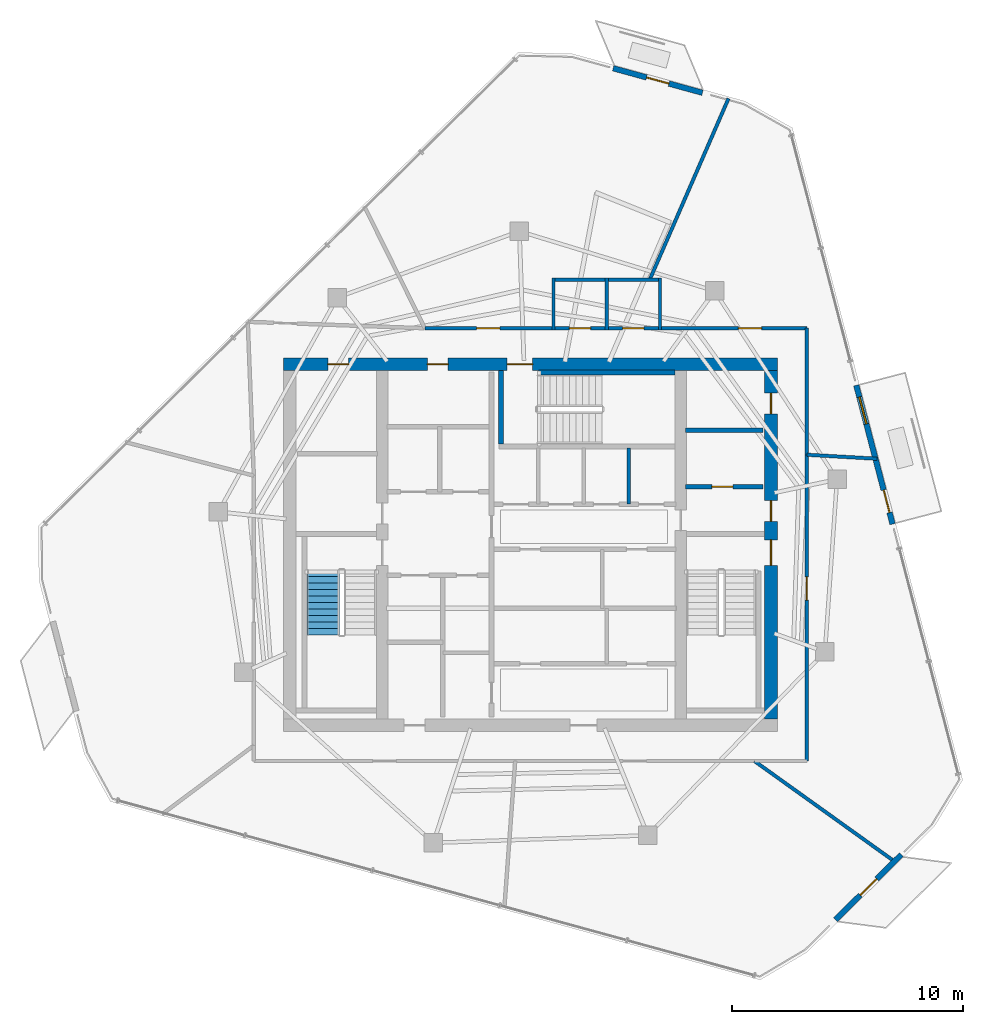
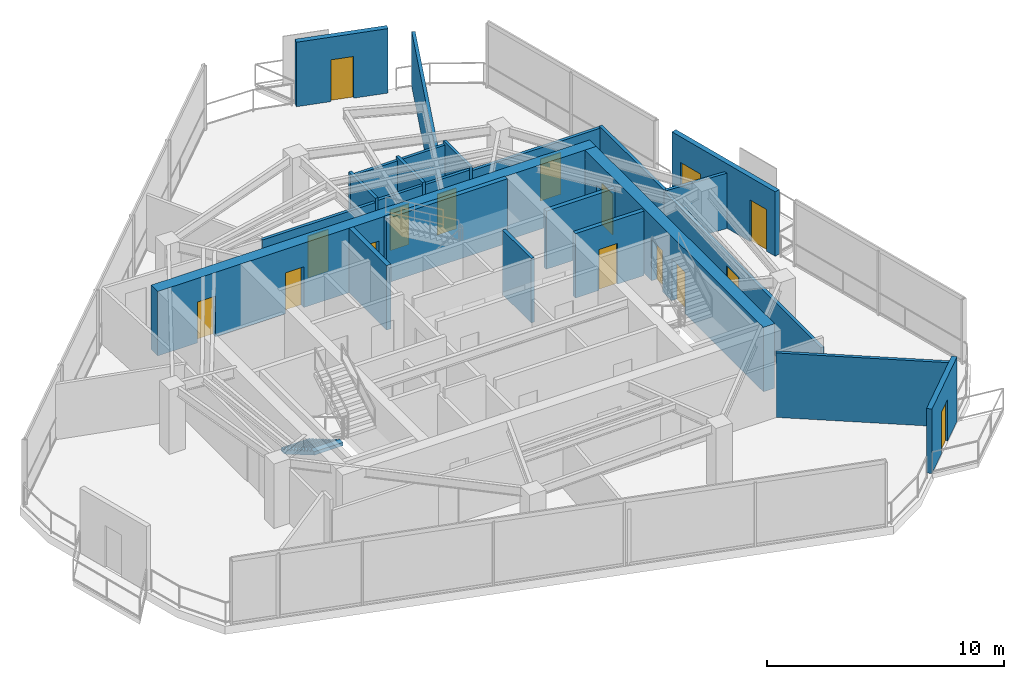
# One storey, part 16 of 19: 24 walls, 15 doors, 1 stair flight, 1 window, 16 openings, 1 element without a shape of its own.
"""IFC4 building model written with IfcOpenShell, lengths in metres."""

from ifc_helpers import new_model, si_unit, direction, frame, frame_2d, origin, place, context, subcontext, project, spatial, polyline, rectangle, outline, extrude, material, layer, layer_set, type_object, element, fill, aggregate, save


model = new_model("IFC4")

# Units and contexts
model_context = context("Model", 3, precision=1e-05, world=origin(), true_north=direction((0.0, 1.0)))
body_context = subcontext(model_context, "Body", "Model", "MODEL_VIEW")
ifc_project = project(units=[si_unit("LENGTHUNIT", "METRE"), si_unit("AREAUNIT", "SQUARE_METRE"), si_unit("VOLUMEUNIT", "CUBIC_METRE"), si_unit("PLANEANGLEUNIT", "RADIAN"), si_unit("MASSUNIT", "GRAM", prefix="KILO")], contexts=[model_context])

# Site, building, storey
site_placement = place(None, origin())
site = spatial("IfcSite", under=ifc_project, at=site_placement, CompositionType="ELEMENT")
building_placement = place(site_placement, origin())
building = spatial("IfcBuilding", under=site, at=building_placement, Name="Qarnah Convention Tower", CompositionType="ELEMENT")
storey_placement = place(building_placement, frame((0.0, 0.0, 235.5)))
storey = spatial("IfcBuildingStorey", under=building, at=storey_placement, Name="L63", CompositionType="ELEMENT", Elevation=235.5)

# Wall, openings, doors
ifc_material_1 = material(Name="Concrete C60/75", Category="concrete")
ifc_layer_1 = layer(ifc_material_1, 0.550048828125)
ifc_layer_set_1 = layer_set([ifc_layer_1], Name="Concrete C60/75")
wall_type_1 = type_object("IfcWallType", Name="WL-CORE-550", PredefinedType="SHEAR", material=ifc_layer_set_1)
wall_1_placement = place(storey_placement, frame((26.52490234375, 34.199951171875, 0.0), z_axis=(0.0, 0.0, 1.0), x_axis=(1.0, 0.0, 0.0)))
wall_1 = element("IfcWall", 1, at=wall_1_placement, inside=storey, type_object=wall_type_1, Name="L63 core north shear wall", PredefinedType="SHEAR", context=body_context, shape_type="SweptSolid", body=[
    extrude(rectangle(XDim=21.35009765625, YDim=0.550048828125, at=frame_2d((10.675048828125, 0.0))), origin(), (0.0, 0.0, 1.0), 3.320068359375),
])
opening_1_placement = place(wall_1_placement, frame((9.675048828125, 0.0, 0.0)))
opening_1 = element("IfcOpeningElement", 2, at=opening_1_placement, cuts=wall_1, Name="Opening D-6303", PredefinedType="OPENING", context=body_context, shape_type="SweptSolid", body=[
    extrude(rectangle(XDim=1.10009765625, YDim=2.14990234375, at=frame_2d((0.550048828125, 1.074951171875))), frame((0.0, 0.284912109375, 0.0), z_axis=(0.0, -1.0, 0.0), x_axis=(1.0, 0.0, 0.0)), (0.0, 0.0, 1.0), 0.570068359375),
])
opening_2_placement = place(wall_1_placement, frame((1.925048828125, 0.0, 0.0)))
opening_2 = element("IfcOpeningElement", 3, at=opening_2_placement, cuts=wall_1, Name="Opening D-6309", PredefinedType="OPENING", context=body_context, shape_type="SweptSolid", body=[
    extrude(rectangle(XDim=0.89990234375, YDim=2.10009765625, at=frame_2d((0.449951171875, 1.050048828125))), frame((0.0, 0.284912109375, 0.0), z_axis=(0.0, -1.0, 0.0), x_axis=(1.0, 0.0, 0.0)), (0.0, 0.0, 1.0), 0.570068359375),
])
opening_3_placement = place(wall_1_placement, frame((6.22509765625, 0.0, 0.0)))
opening_3 = element("IfcOpeningElement", 4, at=opening_3_placement, cuts=wall_1, Name="Opening D-6310", PredefinedType="OPENING", context=body_context, shape_type="SweptSolid", body=[
    extrude(rectangle(XDim=0.89990234375, YDim=2.10009765625, at=frame_2d((0.449951171875, 1.050048828125))), frame((0.0, 0.284912109375, 0.0), z_axis=(0.0, -1.0, 0.0), x_axis=(1.0, 0.0, 0.0)), (0.0, 0.0, 1.0), 0.570068359375),
])
ifc_material_2 = material(Name="Structural steel S355JR", Category="steel")
door_type_1 = type_object("IfcDoorType", Name="DT-RISER-900", OperationType="NOTDEFINED", PredefinedType="DOOR", material=ifc_material_2)
door_1_placement = place(opening_2_placement, origin())
door_1 = element("IfcDoor", 5, at=door_1_placement, inside=storey, type_object=door_type_1, Name="Door D-6309", OperationType="SINGLE_SWING_RIGHT", OverallHeight=2.10009765625, OverallWidth=0.89990234375, PredefinedType="DOOR", context=body_context, shape_type="SweptSolid", body=[
    extrude(rectangle(XDim=0.89990234375, YDim=2.10009765625, at=frame_2d((0.449951171875, 1.050048828125))), frame((0.0, 0.02490234375, 0.0), z_axis=(0.0, -1.0, 0.0), x_axis=(1.0, 0.0, 0.0)), (0.0, 0.0, 1.0), 0.050048828125),
])
fill(opening_2, door_1)
door_2_placement = place(opening_3_placement, origin())
door_2 = element("IfcDoor", 6, at=door_2_placement, inside=storey, type_object=door_type_1, Name="Door D-6310", OperationType="SINGLE_SWING_LEFT", OverallHeight=2.10009765625, OverallWidth=0.89990234375, PredefinedType="DOOR", context=body_context, shape_type="SweptSolid", body=[
    extrude(rectangle(XDim=0.89990234375, YDim=2.10009765625, at=frame_2d((0.449951171875, 1.050048828125))), frame((0.0, 0.02490234375, 0.0), z_axis=(0.0, -1.0, 0.0), x_axis=(1.0, 0.0, 0.0)), (0.0, 0.0, 1.0), 0.050048828125),
])
fill(opening_3, door_2)
door_type_2 = type_object("IfcDoorType", Name="DT-STAIR-1100", OperationType="NOTDEFINED", PredefinedType="DOOR", material=ifc_material_2)
door_3_placement = place(opening_1_placement, origin())
door_3 = element("IfcDoor", 7, at=door_3_placement, inside=storey, type_object=door_type_2, Name="Door D-6303", OperationType="SINGLE_SWING_RIGHT", OverallHeight=2.14990234375, OverallWidth=1.10009765625, PredefinedType="DOOR", context=body_context, shape_type="SweptSolid", body=[
    extrude(rectangle(XDim=1.10009765625, YDim=2.14990234375, at=frame_2d((0.550048828125, 1.074951171875))), frame((0.0, 0.02490234375, 0.0), z_axis=(0.0, -1.0, 0.0), x_axis=(1.0, 0.0, 0.0)), (0.0, 0.0, 1.0), 0.050048828125),
])
fill(opening_1, door_3)

wall_2_placement = place(storey_placement, frame((47.60009765625, 18.875, 0.0), z_axis=(0.0, 0.0, 1.0), x_axis=(0.0, 1.0, 0.0)))
wall_2 = element("IfcWall", 8, at=wall_2_placement, inside=storey, type_object=wall_type_1, Name="L63 core east shear wall", PredefinedType="SHEAR", context=body_context, shape_type="SweptSolid", body=[
    extrude(rectangle(XDim=15.050048828125, YDim=0.550048828125, at=frame_2d((7.52490234375, 0.0))), origin(), (0.0, 0.0, 1.0), 3.320068359375),
])
opening_4_placement = place(wall_2_placement, frame((6.625, 0.0, 0.0)))
opening_4 = element("IfcOpeningElement", 9, at=opening_4_placement, cuts=wall_2, Name="Opening D-6302", PredefinedType="OPENING", context=body_context, shape_type="SweptSolid", body=[
    extrude(rectangle(XDim=1.10009765625, YDim=2.14990234375, at=frame_2d((0.550048828125, 1.074951171875))), frame((0.0, 0.284912109375, 0.0), z_axis=(0.0, -1.0, 0.0), x_axis=(1.0, 0.0, 0.0)), (0.0, 0.0, 1.0), 0.570068359375),
])
opening_5_placement = place(wall_2_placement, frame((8.52490234375, 0.0, 0.0)))
opening_5 = element("IfcOpeningElement", 10, at=opening_5_placement, cuts=wall_2, Name="Opening D-6306", PredefinedType="OPENING", context=body_context, shape_type="SweptSolid", body=[
    extrude(rectangle(XDim=0.89990234375, YDim=2.10009765625, at=frame_2d((0.449951171875, 1.050048828125))), frame((0.0, 0.284912109375, 0.0), z_axis=(0.0, -1.0, 0.0), x_axis=(1.0, 0.0, 0.0)), (0.0, 0.0, 1.0), 0.570068359375),
])
opening_6_placement = place(wall_2_placement, frame((13.175048828125, 0.0, 0.0)))
opening_6 = element("IfcOpeningElement", 11, at=opening_6_placement, cuts=wall_2, Name="Opening D-6312", PredefinedType="OPENING", context=body_context, shape_type="SweptSolid", body=[
    extrude(rectangle(XDim=0.89990234375, YDim=2.10009765625, at=frame_2d((0.449951171875, 1.050048828125))), frame((0.0, 0.284912109375, 0.0), z_axis=(0.0, -1.0, 0.0), x_axis=(1.0, 0.0, 0.0)), (0.0, 0.0, 1.0), 0.570068359375),
])
door_4_placement = place(opening_5_placement, origin())
door_4 = element("IfcDoor", 12, at=door_4_placement, inside=storey, type_object=door_type_1, Name="Door D-6306", OperationType="SINGLE_SWING_LEFT", OverallHeight=2.10009765625, OverallWidth=0.89990234375, PredefinedType="DOOR", context=body_context, shape_type="SweptSolid", body=[
    extrude(rectangle(XDim=0.89990234375, YDim=2.10009765625, at=frame_2d((0.449951171875, 1.050048828125))), frame((0.0, 0.02490234375, 0.0), z_axis=(0.0, -1.0, 0.0), x_axis=(1.0, 0.0, 0.0)), (0.0, 0.0, 1.0), 0.050048828125),
])
fill(opening_5, door_4)
door_5_placement = place(opening_6_placement, origin())
door_5 = element("IfcDoor", 13, at=door_5_placement, inside=storey, type_object=door_type_1, Name="Door D-6312", OperationType="SINGLE_SWING_LEFT", OverallHeight=2.10009765625, OverallWidth=0.89990234375, PredefinedType="DOOR", context=body_context, shape_type="SweptSolid", body=[
    extrude(rectangle(XDim=0.89990234375, YDim=2.10009765625, at=frame_2d((0.449951171875, 1.050048828125))), frame((0.0, 0.02490234375, 0.0), z_axis=(0.0, -1.0, 0.0), x_axis=(1.0, 0.0, 0.0)), (0.0, 0.0, 1.0), 0.050048828125),
])
fill(opening_6, door_5)
door_6_placement = place(opening_4_placement, origin())
door_6 = element("IfcDoor", 14, at=door_6_placement, inside=storey, type_object=door_type_2, Name="Door D-6302", OperationType="SINGLE_SWING_LEFT", OverallHeight=2.14990234375, OverallWidth=1.10009765625, PredefinedType="DOOR", context=body_context, shape_type="SweptSolid", body=[
    extrude(rectangle(XDim=1.10009765625, YDim=2.14990234375, at=frame_2d((0.550048828125, 1.074951171875))), frame((0.0, 0.02490234375, 0.0), z_axis=(0.0, -1.0, 0.0), x_axis=(1.0, 0.0, 0.0)), (0.0, 0.0, 1.0), 0.050048828125),
])
fill(opening_4, door_6)

# Wall, opening, door
ifc_material_3 = material(Name="Concrete C45/55", Category="concrete")
ifc_layer_2 = layer(ifc_material_3, 0.199951171875)
ifc_layer_set_2 = layer_set([ifc_layer_2], Name="Concrete C45/55")
wall_type_2 = type_object("IfcWallType", Name="WL-CORE-PART-200", PredefinedType="SOLIDWALL", material=ifc_layer_set_2)
wall_3_placement = place(storey_placement, frame((43.89990234375, 28.89990234375, 0.0), z_axis=(0.0, 0.0, 1.0), x_axis=(1.0, 0.0, 0.0)))
wall_3 = element("IfcWall", 15, at=wall_3_placement, inside=storey, type_object=wall_type_2, Name="L63 interior wall IW-L63-EVSTN", PredefinedType="SOLIDWALL", context=body_context, shape_type="SweptSolid", body=[
    extrude(rectangle(XDim=3.35009765625, YDim=0.199951171875, at=frame_2d((1.675048828125, 0.0))), origin(), (0.0, 0.0, 1.0), 3.320068359375),
])
opening_7_placement = place(wall_3_placement, frame((1.14990234375, 0.0, 0.0)))
opening_7 = element("IfcOpeningElement", 16, at=opening_7_placement, cuts=wall_3, Name="Opening D-6311", PredefinedType="OPENING", context=body_context, shape_type="SweptSolid", body=[
    extrude(rectangle(XDim=0.89990234375, YDim=2.10009765625, at=frame_2d((0.449951171875, 1.050048828125))), frame((0.0, 0.10986328125, 0.0), z_axis=(0.0, -1.0, 0.0), x_axis=(1.0, 0.0, 0.0)), (0.0, 0.0, 1.0), 0.219970703125),
])
door_7_placement = place(opening_7_placement, origin())
door_7 = element("IfcDoor", 17, at=door_7_placement, inside=storey, type_object=door_type_1, Name="Door D-6311", OperationType="SINGLE_SWING_RIGHT", OverallHeight=2.10009765625, OverallWidth=0.89990234375, PredefinedType="DOOR", context=body_context, shape_type="SweptSolid", body=[
    extrude(rectangle(XDim=0.89990234375, YDim=2.10009765625, at=frame_2d((0.449951171875, 1.050048828125))), frame((0.0, 0.02490234375, 0.0), z_axis=(0.0, -1.0, 0.0), x_axis=(1.0, 0.0, 0.0)), (0.0, 0.0, 1.0), 0.050048828125),
])
fill(opening_7, door_7)

# Walls
wall_4_placement = place(storey_placement, frame((43.89990234375, 31.35009765625, 0.0), z_axis=(0.0, 0.0, 1.0), x_axis=(1.0, 0.0, 0.0)))
element("IfcWall", 18, at=wall_4_placement, inside=storey, type_object=wall_type_2, Name="L63 interior wall IW-L63-WTRN", PredefinedType="SOLIDWALL", context=body_context, shape_type="SweptSolid", body=[
    extrude(rectangle(XDim=3.35009765625, YDim=0.199951171875, at=frame_2d((1.675048828125, 0.0))), origin(), (0.0, 0.0, 1.0), 2.992919921875),
])
ifc_layer_3 = layer(ifc_material_1, 0.219970703125)
ifc_layer_set_3 = layer_set([ifc_layer_3], Name="Concrete C60/75")
wall_type_3 = type_object("IfcWallType", Name="WL-CORE-STAIR-220", PredefinedType="SHEAR", material=ifc_layer_set_3)
wall_5_placement = place(storey_placement, frame((35.93994140625, 30.75, 0.0), z_axis=(0.0, 0.0, 1.0), x_axis=(0.0, 1.0, 0.0)))
element("IfcWall", 19, at=wall_5_placement, inside=storey, type_object=wall_type_3, Name="L63 stair shaft shear wall SW-L63-ST3W", PredefinedType="SHEAR", context=body_context, shape_type="SweptSolid", body=[
    extrude(rectangle(XDim=3.175048828125, YDim=0.219970703125, at=frame_2d((1.58740234375, 0.0))), origin(), (0.0, 0.0, 1.0), 3.320068359375),
])
wall_6_placement = place(storey_placement, frame((37.550048828125, 33.840087890625, 0.0), z_axis=(0.0, 0.0, 1.0), x_axis=(1.0, 0.0, 0.0)))
element("IfcWall", 20, at=wall_6_placement, inside=storey, type_object=wall_type_3, Name="L63 stair shaft shear wall SW-L63-ST3N", PredefinedType="SHEAR", context=body_context, shape_type="SweptSolid", body=[
    extrude(rectangle(XDim=5.89990234375, YDim=0.219970703125, at=frame_2d((2.949951171875, 0.0))), origin(), (0.0, 0.0, 1.0), 3.320068359375),
])

# Wall, opening, door
ifc_material_4 = material(Name="Precast concrete C45/55", Category="concrete")
ifc_layer_4 = layer(ifc_material_4, 0.239990234375)
ifc_layer_set_4 = layer_set([ifc_layer_4], Name="Precast concrete C45/55")
wall_type_4 = type_object("IfcWallType", Name="WL-EXT-BAL-240", PredefinedType="SOLIDWALL", material=ifc_layer_set_4)
wall_7_placement = place(storey_placement, frame((40.780029296875, 46.985107421875, 0.0), z_axis=(0.0, 0.0, 1.0), x_axis=(0.964260755551, -0.264955081673, 0.0)))
wall_7 = element("IfcWall", 21, at=wall_7_placement, inside=storey, type_object=wall_type_4, Name="L63 loggia threshold wall BAL-L63-C1", PredefinedType="SOLIDWALL", context=body_context, shape_type="SweptSolid", body=[
    extrude(rectangle(XDim=4.0009765625, YDim=0.239990234375, at=frame_2d((2.00048828125, 0.0))), origin(), (0.0, 0.0, 1.0), 3.320068359375),
])
opening_8_placement = place(wall_7_placement, frame((1.5, 0.0, 0.0)))
opening_8 = element("IfcOpeningElement", 22, at=opening_8_placement, cuts=wall_7, Name="Opening BD-6301", PredefinedType="OPENING", context=body_context, shape_type="SweptSolid", body=[
    extrude(rectangle(XDim=1.0, YDim=2.14990234375, at=frame_2d((0.5, 1.074951171875))), frame((0.0, 0.1298828125, 0.0), z_axis=(0.0, -1.0, 0.0), x_axis=(1.0, 0.0, 0.0)), (0.0, 0.0, 1.0), 0.260009765625),
])
ifc_material_5 = material(Name="Black anodised aluminium", Category="aluminium")
door_type_3 = type_object("IfcDoorType", Name="DT-BAL-1000", OperationType="NOTDEFINED", PredefinedType="DOOR", material=ifc_material_5)
door_8_placement = place(opening_8_placement, origin())
door_8 = element("IfcDoor", 23, at=door_8_placement, inside=storey, type_object=door_type_3, Name="L63 balcony terrace door BAL-L63-C1", OperationType="SINGLE_SWING_LEFT", OverallHeight=2.14990234375, OverallWidth=1.0, PredefinedType="DOOR", context=body_context, shape_type="SweptSolid", body=[
    extrude(rectangle(XDim=1.0, YDim=2.14990234375, at=frame_2d((0.5, 1.074951171875))), frame((0.0, 0.02490234375, 0.0), z_axis=(0.0, -1.0, 0.0), x_axis=(1.0, 0.0, 0.0)), (0.0, 0.0, 1.0), 0.050048828125),
])
fill(opening_8, door_8)

wall_8_placement = place(storey_placement, frame((53.237060546875, 13.007080078125, 0.0), z_axis=(0.0, 0.0, 1.0), x_axis=(-0.711607796513, -0.702576930977, 0.0)))
wall_8 = element("IfcWall", 24, at=wall_8_placement, inside=storey, type_object=wall_type_4, Name="L63 loggia threshold wall BAL-L63-C3", PredefinedType="SOLIDWALL", context=body_context, shape_type="SweptSolid", body=[
    extrude(rectangle(XDim=4.0009765625, YDim=0.239990234375, at=frame_2d((2.00048828125, 0.0))), origin(), (0.0, 0.0, 1.0), 3.320068359375),
])
opening_9_placement = place(wall_8_placement, frame((1.5, 0.0, 0.0)))
opening_9 = element("IfcOpeningElement", 25, at=opening_9_placement, cuts=wall_8, Name="Opening BD-6303", PredefinedType="OPENING", context=body_context, shape_type="SweptSolid", body=[
    extrude(rectangle(XDim=1.0, YDim=2.14990234375, at=frame_2d((0.5, 1.074951171875))), frame((0.0, 0.1298828125, 0.0), z_axis=(0.0, -1.0, 0.0), x_axis=(1.0, 0.0, 0.0)), (0.0, 0.0, 1.0), 0.260009765625),
])
door_9_placement = place(opening_9_placement, origin())
door_9 = element("IfcDoor", 26, at=door_9_placement, inside=storey, type_object=door_type_3, Name="L63 balcony terrace door BAL-L63-C3", OperationType="SINGLE_SWING_LEFT", OverallHeight=2.14990234375, OverallWidth=1.0, PredefinedType="DOOR", context=body_context, shape_type="SweptSolid", body=[
    extrude(rectangle(XDim=1.0, YDim=2.14990234375, at=frame_2d((0.5, 1.074951171875))), frame((0.0, 0.02490234375, 0.0), z_axis=(0.0, -1.0, 0.0), x_axis=(1.0, 0.0, 0.0)), (0.0, 0.0, 1.0), 0.050048828125),
])
fill(opening_9, door_9)

# Wall, openings, door, window
wall_9_placement = place(storey_placement, frame((51.287109375, 33.283935546875, 0.0), z_axis=(0.0, 0.0, 1.0), x_axis=(0.252713614742, -0.967541125185, 0.0)))
wall_9 = element("IfcWall", 27, at=wall_9_placement, inside=storey, type_object=wall_type_4, Name="L63 loggia threshold wall SG-L63", PredefinedType="SOLIDWALL", context=body_context, shape_type="SweptSolid", body=[
    extrude(rectangle(XDim=6.2001953125, YDim=0.239990234375, at=frame_2d((3.10009765625, 0.0))), origin(), (0.0, 0.0, 1.0), 3.320068359375),
])
opening_10_placement = place(wall_9_placement, frame((4.679931640625, 0.0, 0.0)))
opening_10 = element("IfcOpeningElement", 28, at=opening_10_placement, cuts=wall_9, Name="Opening BD-6304", PredefinedType="OPENING", context=body_context, shape_type="SweptSolid", body=[
    extrude(rectangle(XDim=1.0, YDim=2.14990234375, at=frame_2d((0.5, 1.074951171875))), frame((0.0, 0.1298828125, 0.0), z_axis=(0.0, -1.0, 0.0), x_axis=(1.0, 0.0, 0.0)), (0.0, 0.0, 1.0), 0.260009765625),
])
opening_11_placement = place(wall_9_placement, frame((0.52001953125, 0.0, 0.199951171875)))
opening_11 = element("IfcOpeningElement", 29, at=opening_11_placement, cuts=wall_9, Name="Opening WN5", PredefinedType="OPENING", context=body_context, shape_type="SweptSolid", body=[
    extrude(rectangle(XDim=1.199951171875, YDim=1.800048828125, at=frame_2d((0.60009765625, 0.89990234375))), frame((0.0, 0.1298828125, 0.0), z_axis=(0.0, -1.0, 0.0), x_axis=(1.0, 0.0, 0.0)), (0.0, 0.0, 1.0), 0.260009765625),
])
door_10_placement = place(opening_10_placement, origin())
door_10 = element("IfcDoor", 30, at=door_10_placement, inside=storey, type_object=door_type_3, Name="L63 balcony terrace door SG-L63", OperationType="SINGLE_SWING_RIGHT", OverallHeight=2.14990234375, OverallWidth=1.0, PredefinedType="DOOR", context=body_context, shape_type="SweptSolid", body=[
    extrude(rectangle(XDim=1.0, YDim=2.14990234375, at=frame_2d((0.5, 1.074951171875))), frame((0.0, 0.02490234375, 0.0), z_axis=(0.0, -1.0, 0.0), x_axis=(1.0, 0.0, 0.0)), (0.0, 0.0, 1.0), 0.050048828125),
])
fill(opening_10, door_10)
ifc_material_6 = material(Name="Tempered Low-E dark glass", Category="glass")
window_type = type_object("IfcWindowType", Name="WT-BAL-1200X1800", PartitioningType="SINGLE_PANEL", PredefinedType="WINDOW", material=ifc_material_6)
window_placement = place(opening_11_placement, origin())
window = element("IfcWindow", 31, at=window_placement, inside=storey, type_object=window_type, Name="Window BW-SG-L63", OverallHeight=1.800048828125, OverallWidth=1.199951171875, PartitioningType="SINGLE_PANEL", PredefinedType="WINDOW", context=body_context, shape_type="SweptSolid", body=[
    extrude(rectangle(XDim=1.199951171875, YDim=1.800048828125, at=frame_2d((0.60009765625, 0.89990234375))), frame((0.0, 0.030029296875, 0.0), z_axis=(0.0, -1.0, 0.0), x_axis=(1.0, 0.0, 0.0)), (0.0, 0.0, 1.0), 0.06005859375),
])
fill(opening_11, window)

# Walls
ifc_material_7 = material(Name="Gypsum partition board")
ifc_layer_5 = layer(ifc_material_7, 0.14990234375)
ifc_layer_set_5 = layer_set([ifc_layer_5], Name="Gypsum partition board")
wall_type_5 = type_object("IfcWallType", Name="WL-SUITE-150", PredefinedType="PARTITIONING", material=ifc_layer_set_5)
wall_10_placement = place(storey_placement, frame((41.449951171875, 28.14990234375, 0.0), z_axis=(0.0, 0.0, 1.0), x_axis=(0.0, 1.0, 0.0)))
element("IfcWall", 32, at=wall_10_placement, inside=storey, type_object=wall_type_5, Name="L63 interior wall IW-L63-PHD3", PredefinedType="PARTITIONING", context=body_context, shape_type="SweptSolid", body=[
    extrude(rectangle(XDim=2.43017578125, YDim=0.14990234375, at=frame_2d((1.215087890625, 0.0))), origin(), (0.0, 0.0, 1.0), 3.320068359375),
])
wall_11_placement = place(storey_placement, frame((45.763916015625, 45.678955078125, 0.0), z_axis=(0.0, 0.0, 1.0), x_axis=(-0.398721928465, -0.917071874916, 0.0)))
element("IfcWall", 33, at=wall_11_placement, inside=storey, type_object=wall_type_5, Name="L63 interior wall IW-L63-R-08", PredefinedType="PARTITIONING", context=body_context, shape_type="SweptSolid", body=[
    extrude(rectangle(XDim=8.536865234375, YDim=0.14990234375, at=frame_2d((4.2685546875, 0.0))), origin(), (0.0, 0.0, 1.0), 2.841064453125),
])

# Wall, opening, door
wall_12_placement = place(storey_placement, frame((42.8701171875, 35.75, 0.0), z_axis=(0.0, 0.0, 1.0), x_axis=(1.0, 0.0, 0.0)))
wall_12 = element("IfcWall", 34, at=wall_12_placement, inside=storey, type_object=wall_type_5, Name="L63 interior wall IW-L63-R-09", PredefinedType="PARTITIONING", context=body_context, shape_type="SweptSolid", body=[
    extrude(rectangle(XDim=6.27978515625, YDim=0.14990234375, at=frame_2d((3.139892578125, 0.0))), origin(), (0.0, 0.0, 1.0), 2.76904296875),
])
opening_12_placement = place(wall_12_placement, frame((3.325927734375, 0.0, 0.0)))
opening_12 = element("IfcOpeningElement", 35, at=opening_12_placement, cuts=wall_12, Name="Opening D-6322", PredefinedType="OPENING", context=body_context, shape_type="SweptSolid", body=[
    extrude(rectangle(XDim=1.0, YDim=2.14990234375, at=frame_2d((0.5, 1.074951171875))), frame((0.0, 0.0849609375, 0.0), z_axis=(0.0, -1.0, 0.0), x_axis=(1.0, 0.0, 0.0)), (0.0, 0.0, 1.0), 0.169921875),
])
ifc_material_8 = material(Name="Oak timber veneer", Category="wood")
door_type_4 = type_object("IfcDoorType", Name="DT-OFFICE-1000", OperationType="NOTDEFINED", PredefinedType="DOOR", material=ifc_material_8)
door_11_placement = place(opening_12_placement, origin())
door_11 = element("IfcDoor", 36, at=door_11_placement, inside=storey, type_object=door_type_4, Name="Door D-6322", OperationType="SINGLE_SWING_LEFT", OverallHeight=2.14990234375, OverallWidth=1.0, PredefinedType="DOOR", context=body_context, shape_type="SweptSolid", body=[
    extrude(rectangle(XDim=1.0, YDim=2.14990234375, at=frame_2d((0.5, 1.074951171875))), frame((0.0, 0.02490234375, 0.0), z_axis=(0.0, -1.0, 0.0), x_axis=(1.0, 0.0, 0.0)), (0.0, 0.0, 1.0), 0.050048828125),
])
fill(opening_12, door_11)

# Walls
wall_13_placement = place(storey_placement, frame((49.14990234375, 35.75, 0.0), z_axis=(0.0, 0.0, 1.0), x_axis=(0.0, -1.0, 0.0)))
element("IfcWall", 37, at=wall_13_placement, inside=storey, type_object=wall_type_5, Name="L63 interior wall IW-L63-R-10", PredefinedType="PARTITIONING", context=body_context, shape_type="SweptSolid", body=[
    extrude(rectangle(XDim=5.467041015625, YDim=0.14990234375, at=frame_2d((2.7333984375, 0.0))), origin(), (0.0, 0.0, 1.0), 2.844970703125),
])
wall_14_placement = place(storey_placement, frame((49.14990234375, 30.282958984375, 0.0), z_axis=(0.0, 0.0, 1.0), x_axis=(0.998391972459, -0.056687470652, 0.0)))
element("IfcWall", 38, at=wall_14_placement, inside=storey, type_object=wall_type_5, Name="L63 interior wall IW-L63-R-11", PredefinedType="PARTITIONING", context=body_context, shape_type="SweptSolid", body=[
    extrude(rectangle(XDim=3.031982421875, YDim=0.14990234375, at=frame_2d((1.51611328125, 0.0))), origin(), (0.0, 0.0, 1.0), 2.844970703125),
])

# Wall, opening, door
wall_15_placement = place(storey_placement, frame((32.639892578125, 35.75, 0.0), z_axis=(0.0, 0.0, 1.0), x_axis=(1.0, 0.0, 0.0)))
wall_15 = element("IfcWall", 39, at=wall_15_placement, inside=storey, type_object=wall_type_5, Name="L63 interior wall IW-L63-R-13", PredefinedType="PARTITIONING", context=body_context, shape_type="SweptSolid", body=[
    extrude(rectangle(XDim=5.489990234375, YDim=0.14990234375, at=frame_2d((2.7451171875, 0.0))), origin(), (0.0, 0.0, 1.0), 2.76904296875),
])
opening_13_placement = place(wall_15_placement, frame((2.2451171875, 0.0, 0.0)))
opening_13 = element("IfcOpeningElement", 40, at=opening_13_placement, cuts=wall_15, Name="Opening D-6323", PredefinedType="OPENING", context=body_context, shape_type="SweptSolid", body=[
    extrude(rectangle(XDim=1.0, YDim=2.14990234375, at=frame_2d((0.5, 1.074951171875))), frame((0.0, 0.0849609375, 0.0), z_axis=(0.0, -1.0, 0.0), x_axis=(1.0, 0.0, 0.0)), (0.0, 0.0, 1.0), 0.169921875),
])
door_12_placement = place(opening_13_placement, origin())
door_12 = element("IfcDoor", 41, at=door_12_placement, inside=storey, type_object=door_type_4, Name="Door D-6323", OperationType="SINGLE_SWING_RIGHT", OverallHeight=2.14990234375, OverallWidth=1.0, PredefinedType="DOOR", context=body_context, shape_type="SweptSolid", body=[
    extrude(rectangle(XDim=1.0, YDim=2.14990234375, at=frame_2d((0.5, 1.074951171875))), frame((0.0, 0.02490234375, 0.0), z_axis=(0.0, -1.0, 0.0), x_axis=(1.0, 0.0, 0.0)), (0.0, 0.0, 1.0), 0.050048828125),
])
fill(opening_13, door_12)

# Wall
wall_16_placement = place(storey_placement, frame((52.986083984375, 12.675048828125, 0.0), z_axis=(0.0, 0.0, 1.0), x_axis=(-0.812787881055, 0.58255974836, 0.0)))
element("IfcWall", 42, at=wall_16_placement, inside=storey, type_object=wall_type_5, Name="L63 interior wall IW-L63-R-22", PredefinedType="PARTITIONING", context=body_context, shape_type="SweptSolid", body=[
    extrude(rectangle(XDim=7.510009765625, YDim=0.14990234375, at=frame_2d((3.7548828125, 0.0))), origin(), (0.0, 0.0, 1.0), 3.320068359375),
])

# Wall, opening, door
wall_17_placement = place(storey_placement, frame((49.14990234375, 30.282958984375, 0.0), z_axis=(0.0, 0.0, 1.0), x_axis=(0.0, -1.0, 0.0)))
wall_17 = element("IfcWall", 43, at=wall_17_placement, inside=storey, type_object=wall_type_5, Name="L63 interior wall IW-L63-R-24", PredefinedType="PARTITIONING", context=body_context, shape_type="SweptSolid", body=[
    extrude(rectangle(XDim=13.23291015625, YDim=0.14990234375, at=frame_2d((6.616455078125, 0.0))), origin(), (0.0, 0.0, 1.0), 2.76904296875),
])
opening_14_placement = place(wall_17_placement, frame((5.277099609375, 0.0, 0.0)))
opening_14 = element("IfcOpeningElement", 44, at=opening_14_placement, cuts=wall_17, Name="Opening D-6328", PredefinedType="OPENING", context=body_context, shape_type="SweptSolid", body=[
    extrude(rectangle(XDim=1.0, YDim=2.14990234375, at=frame_2d((0.5, 1.074951171875))), frame((0.0, 0.0849609375, 0.0), z_axis=(0.0, -1.0, 0.0), x_axis=(1.0, 0.0, 0.0)), (0.0, 0.0, 1.0), 0.169921875),
])
door_13_placement = place(opening_14_placement, origin())
door_13 = element("IfcDoor", 45, at=door_13_placement, inside=storey, type_object=door_type_4, Name="Door D-6328", OperationType="SINGLE_SWING_LEFT", OverallHeight=2.14990234375, OverallWidth=1.0, PredefinedType="DOOR", context=body_context, shape_type="SweptSolid", body=[
    extrude(rectangle(XDim=1.0, YDim=2.14990234375, at=frame_2d((0.5, 1.074951171875))), frame((0.0, 0.02490234375, 0.0), z_axis=(0.0, -1.0, 0.0), x_axis=(1.0, 0.0, 0.0)), (0.0, 0.0, 1.0), 0.050048828125),
])
fill(opening_14, door_13)

ifc_layer_6 = layer(ifc_material_7, 0.139892578125)
ifc_layer_set_6 = layer_set([ifc_layer_6], Name="Gypsum partition board")
wall_type_6 = type_object("IfcWallType", Name="WL-WET-140", PredefinedType="PARTITIONING", material=ifc_layer_set_6)
wall_18_placement = place(storey_placement, frame((38.1298828125, 35.75, 0.0), z_axis=(0.0, 0.0, 1.0), x_axis=(1.0, 0.0, 0.0)))
wall_18 = element("IfcWall", 46, at=wall_18_placement, inside=storey, type_object=wall_type_6, Name="L63 interior wall IW-L63-WCM-1", PredefinedType="PARTITIONING", context=body_context, shape_type="SweptSolid", body=[
    extrude(rectangle(XDim=2.440185546875, YDim=0.139892578125, at=frame_2d((1.22021484375, 0.0))), origin(), (0.0, 0.0, 1.0), 2.841064453125),
])
opening_15_placement = place(wall_18_placement, frame((0.760009765625, 0.0, 0.0)))
opening_15 = element("IfcOpeningElement", 47, at=opening_15_placement, cuts=wall_18, Name="Opening D-6320", PredefinedType="OPENING", context=body_context, shape_type="SweptSolid", body=[
    extrude(rectangle(XDim=0.919921875, YDim=2.10009765625, at=frame_2d((0.4599609375, 1.050048828125))), frame((0.0, 0.079833984375, 0.0), z_axis=(0.0, -1.0, 0.0), x_axis=(1.0, 0.0, 0.0)), (0.0, 0.0, 1.0), 0.159912109375),
])
door_type_5 = type_object("IfcDoorType", Name="DT-WC-920", OperationType="NOTDEFINED", PredefinedType="DOOR", material=ifc_material_8)
door_14_placement = place(opening_15_placement, origin())
door_14 = element("IfcDoor", 48, at=door_14_placement, inside=storey, type_object=door_type_5, Name="Door D-6320", OperationType="SINGLE_SWING_LEFT", OverallHeight=2.10009765625, OverallWidth=0.919921875, PredefinedType="DOOR", context=body_context, shape_type="SweptSolid", body=[
    extrude(rectangle(XDim=0.919921875, YDim=2.10009765625, at=frame_2d((0.4599609375, 1.050048828125))), frame((0.0, 0.02490234375, 0.0), z_axis=(0.0, -1.0, 0.0), x_axis=(1.0, 0.0, 0.0)), (0.0, 0.0, 1.0), 0.050048828125),
])
fill(opening_15, door_14)

# Walls
wall_19_placement = place(storey_placement, frame((40.5, 35.679931640625, 0.0), z_axis=(0.0, 0.0, 1.0), x_axis=(0.0, 1.0, 0.0)))
element("IfcWall", 49, at=wall_19_placement, inside=storey, type_object=wall_type_6, Name="L63 interior wall IW-L63-WCM-2", PredefinedType="PARTITIONING", context=body_context, shape_type="SweptSolid", body=[
    extrude(rectangle(XDim=2.239990234375, YDim=0.139892578125, at=frame_2d((1.1201171875, 0.0))), origin(), (0.0, 0.0, 1.0), 2.992919921875),
])
wall_20_placement = place(storey_placement, frame((40.570068359375, 37.85009765625, 0.0), z_axis=(0.0, 0.0, 1.0), x_axis=(-1.0, 0.0, 0.0)))
element("IfcWall", 50, at=wall_20_placement, inside=storey, type_object=wall_type_6, Name="L63 interior wall IW-L63-WCM-3", PredefinedType="PARTITIONING", context=body_context, shape_type="SweptSolid", body=[
    extrude(rectangle(XDim=2.440185546875, YDim=0.139892578125, at=frame_2d((1.22021484375, 0.0))), origin(), (0.0, 0.0, 1.0), 2.841064453125),
])
wall_21_placement = place(storey_placement, frame((38.199951171875, 37.919921875, 0.0), z_axis=(0.0, 0.0, 1.0), x_axis=(0.0, -1.0, 0.0)))
element("IfcWall", 51, at=wall_21_placement, inside=storey, type_object=wall_type_6, Name="L63 interior wall IW-L63-WCM-4", PredefinedType="PARTITIONING", context=body_context, shape_type="SweptSolid", body=[
    extrude(rectangle(XDim=2.239990234375, YDim=0.139892578125, at=frame_2d((1.1201171875, 0.0))), origin(), (0.0, 0.0, 1.0), 2.992919921875),
])

# Wall, opening, door
wall_22_placement = place(storey_placement, frame((40.429931640625, 35.75, 0.0), z_axis=(0.0, 0.0, 1.0), x_axis=(1.0, 0.0, 0.0)))
wall_22 = element("IfcWall", 52, at=wall_22_placement, inside=storey, type_object=wall_type_6, Name="L63 interior wall IW-L63-WCF-1", PredefinedType="PARTITIONING", context=body_context, shape_type="SweptSolid", body=[
    extrude(rectangle(XDim=2.440185546875, YDim=0.139892578125, at=frame_2d((1.22021484375, 0.0))), origin(), (0.0, 0.0, 1.0), 2.841064453125),
])
opening_16_placement = place(wall_22_placement, frame((0.760009765625, 0.0, 0.0)))
opening_16 = element("IfcOpeningElement", 53, at=opening_16_placement, cuts=wall_22, Name="Opening D-6321", PredefinedType="OPENING", context=body_context, shape_type="SweptSolid", body=[
    extrude(rectangle(XDim=0.919921875, YDim=2.10009765625, at=frame_2d((0.4599609375, 1.050048828125))), frame((0.0, 0.079833984375, 0.0), z_axis=(0.0, -1.0, 0.0), x_axis=(1.0, 0.0, 0.0)), (0.0, 0.0, 1.0), 0.159912109375),
])
door_15_placement = place(opening_16_placement, origin())
door_15 = element("IfcDoor", 54, at=door_15_placement, inside=storey, type_object=door_type_5, Name="Door D-6321", OperationType="SINGLE_SWING_RIGHT", OverallHeight=2.10009765625, OverallWidth=0.919921875, PredefinedType="DOOR", context=body_context, shape_type="SweptSolid", body=[
    extrude(rectangle(XDim=0.919921875, YDim=2.10009765625, at=frame_2d((0.4599609375, 1.050048828125))), frame((0.0, 0.02490234375, 0.0), z_axis=(0.0, -1.0, 0.0), x_axis=(1.0, 0.0, 0.0)), (0.0, 0.0, 1.0), 0.050048828125),
])
fill(opening_16, door_15)

# Walls
wall_23_placement = place(storey_placement, frame((42.800048828125, 35.679931640625, 0.0), z_axis=(0.0, 0.0, 1.0), x_axis=(0.0, 1.0, 0.0)))
element("IfcWall", 55, at=wall_23_placement, inside=storey, type_object=wall_type_6, Name="L63 interior wall IW-L63-WCF-2", PredefinedType="PARTITIONING", context=body_context, shape_type="SweptSolid", body=[
    extrude(rectangle(XDim=2.239990234375, YDim=0.139892578125, at=frame_2d((1.1201171875, 0.0))), origin(), (0.0, 0.0, 1.0), 2.992919921875),
])
wall_24_placement = place(storey_placement, frame((42.8701171875, 37.85009765625, 0.0), z_axis=(0.0, 0.0, 1.0), x_axis=(-1.0, 0.0, 0.0)))
element("IfcWall", 56, at=wall_24_placement, inside=storey, type_object=wall_type_6, Name="L63 interior wall IW-L63-WCF-3", PredefinedType="PARTITIONING", context=body_context, shape_type="SweptSolid", body=[
    extrude(rectangle(XDim=2.440185546875, YDim=0.139892578125, at=frame_2d((1.22021484375, 0.0))), origin(), (0.0, 0.0, 1.0), 2.841064453125),
])

# Stair, stair flight
ifc_material_9 = material(Name="Concrete C50/60", Category="concrete")
stair_type = type_object("IfcStairType", Name="STR-OFF", PredefinedType="HALF_TURN_STAIR", material=ifc_material_9)
stair_placement = place(storey_placement, origin())
stair = element("IfcStair", 57, at=stair_placement, inside=storey, type_object=stair_type, Name="L63 Core exit stair ST-1", PredefinedType="HALF_TURN_STAIR")
stair_flight_type = type_object("IfcStairFlightType", Name="FLT-OFF", PredefinedType="STRAIGHT", material=ifc_material_9)
stair_flight_placement = place(storey_placement, frame((28.25, 25.300048828125, 0.0), z_axis=(0.0, 0.0, 1.0), x_axis=(0.0, -1.0, 0.0)))
stair_flight = element("IfcStairFlight", 58, at=stair_flight_placement, type_object=stair_flight_type, Name="ST-1 flight 1", NumberOfRisers=11, NumberOfTreads=10, PredefinedType="STRAIGHT", RiserHeight=0.163636364, TreadLength=0.28, context=body_context, shape_type="SweptSolid", body=[
    extrude(outline(polyline([(0.0, 0.0), (0.0, 0.16357421875), (0.280029296875, 0.16357421875), (0.280029296875, 0.327392578125), (0.56005859375, 0.327392578125), (0.56005859375, 0.490966796875), (0.840087890625, 0.490966796875), (0.840087890625, 0.654541015625), (1.1201171875, 0.654541015625), (1.1201171875, 0.818115234375), (1.39990234375, 0.818115234375), (1.39990234375, 0.98193359375), (1.679931640625, 0.98193359375), (1.679931640625, 1.1455078125), (1.9599609375, 1.1455078125), (1.9599609375, 1.30908203125), (2.239990234375, 1.30908203125), (2.239990234375, 1.47265625), (2.52001953125, 1.47265625), (2.52001953125, 1.636474609375), (2.800048828125, 1.636474609375), (2.800048828125, 1.800048828125), (2.800048828125, 1.462646484375), (0.297119140625, 0.0), (0.0, 0.0)])), frame((0.0, 0.699951171875, 0.0), z_axis=(0.0, -1.0, 0.0), x_axis=(1.0, 0.0, 0.0)), (0.0, 0.0, 1.0), 1.39990234375),
])
aggregate(stair, [stair_flight])

save(model, "model.ifc")
